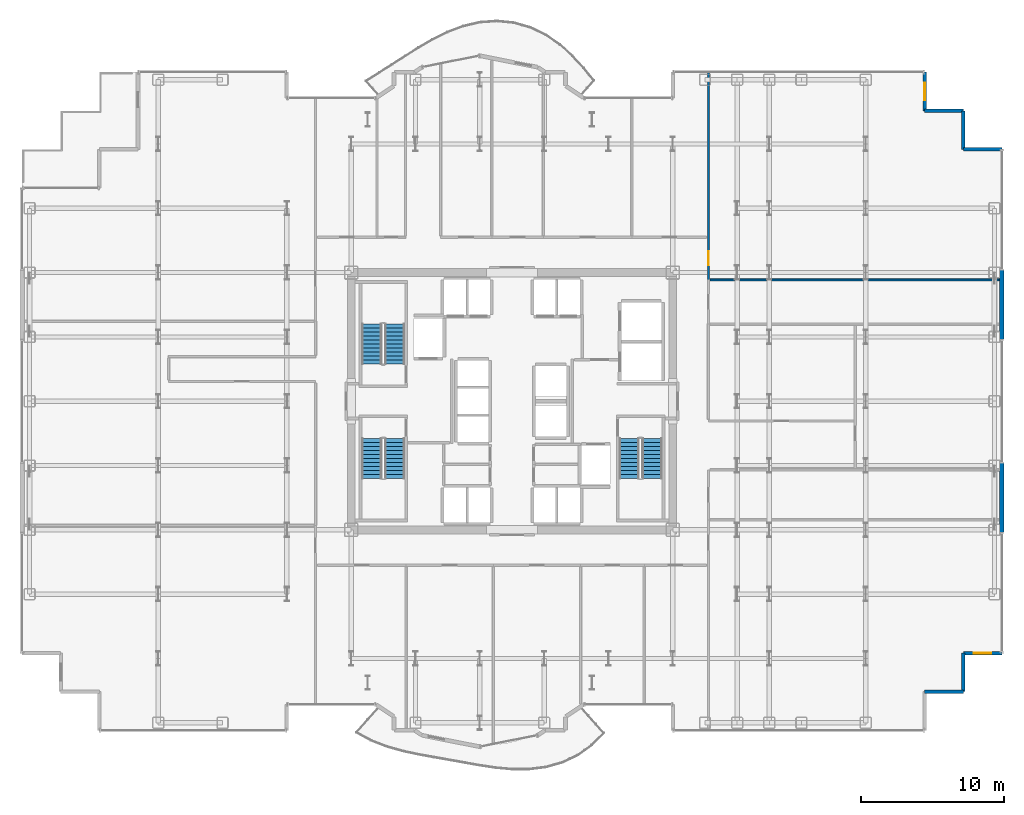
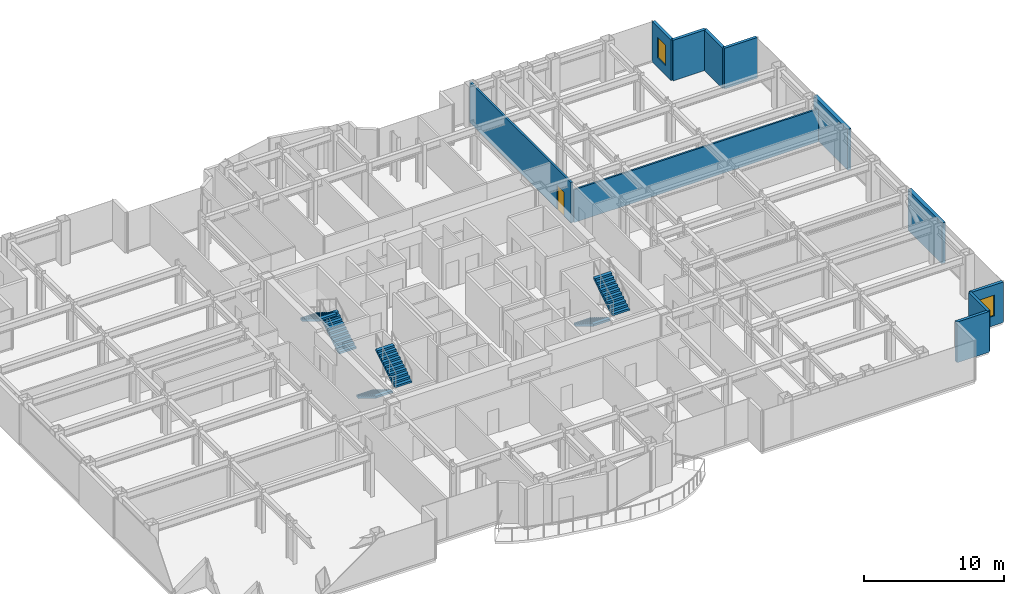
# One storey, part 27 of 29: 11 walls, 6 stair flights, 2 windows, 1 door, 3 openings, 3 elements without a shape of their own.
"""IFC4 building model written with IfcOpenShell, lengths in metres."""

from ifc_helpers import new_model, si_unit, direction, frame, frame_2d, origin, place, context, subcontext, project, spatial, polyline, rectangle, outline, extrude, source, transform, mapped, material, layer, layer_set, type_object, element, fill, aggregate, save


model = new_model("IFC4")

# Units and contexts
model_context = context("Model", 3, precision=1e-05, world=origin(), true_north=direction((0.0, 1.0)))
body_context = subcontext(model_context, "Body", "Model", "MODEL_VIEW")
ifc_project = project(units=[si_unit("LENGTHUNIT", "METRE"), si_unit("AREAUNIT", "SQUARE_METRE"), si_unit("VOLUMEUNIT", "CUBIC_METRE"), si_unit("PLANEANGLEUNIT", "RADIAN"), si_unit("MASSUNIT", "GRAM", prefix="KILO")], contexts=[model_context])

# Site, building, storey
site_placement = place(None, origin())
site = spatial("IfcSite", under=ifc_project, at=site_placement, CompositionType="ELEMENT")
building_placement = place(site_placement, origin())
building = spatial("IfcBuilding", under=site, at=building_placement, Name="Nefas-Gora Pilgrimage Tower", CompositionType="ELEMENT")
storey_placement = place(building_placement, frame((0.0, 0.0, 125.0)))
storey = spatial("IfcBuildingStorey", under=building, at=storey_placement, Name="L30", CompositionType="ELEMENT", Elevation=125.0)

# Walls
ifc_material_1 = material(Name="Precast concrete C45/55", Category="concrete")
ifc_layer_1 = layer(ifc_material_1, 0.239990234375)
ifc_layer_set_1 = layer_set([ifc_layer_1], Name="Precast concrete C45/55")
wall_type_1 = type_object("IfcWallType", Name="EW-SERR-240", PredefinedType="SHEAR", material=ifc_layer_set_1)
shared_shape_1 = source(origin(), body_context, "Body", "SweptSolid", [
    extrude(rectangle(XDim=4.8798828125, YDim=0.300048828125, at=frame_2d((2.43994140625, 0.0))), origin(), (0.0, 0.0, 1.0), 3.550048828125),
])
for number, where, z_axis, x_axis, name in (
    (1, (34.27001953125, -9.18994140625, 0.0), (0.0, 0.0, 1.0), (0.0, 1.0, 0.0), "L30 Braced-Tube Precast Shear Cladding 3"),
    (2, (34.27001953125, 4.31005859375, 0.0), (0.0, 0.0, 1.0), (0.0, 1.0, 0.0), "L30 Braced-Tube Precast Shear Cladding 4"),
):
    element("IfcWall", number, at=place(storey_placement, frame(where, z_axis=z_axis, x_axis=x_axis)), inside=storey, type_object=wall_type_1, Name=name, PredefinedType="SHEAR", context=body_context, shape_type="MappedRepresentation", body=[
        mapped(shared_shape_1, transform((0.0, 0.0, 0.0), x_axis=(1.0, 0.0, 0.0), y_axis=(0.0, 1.0, 0.0), z_axis=(0.0, 0.0, 1.0), scale=1.0)),
    ])
shared_shape_2 = source(origin(), body_context, "Body", "SweptSolid", [
    extrude(rectangle(XDim=2.699951171875, YDim=0.239990234375, at=frame_2d((1.35009765625, 0.0))), origin(), (0.0, 0.0, 1.0), 3.550048828125),
])
for number, where, z_axis, x_axis, name in (
    (3, (28.8701171875, -20.320068359375, 0.0), (0.0, 0.0, 1.0), (1.0, 0.0, 0.0), "L30 Serrated Corner Shear Pier Wall 7"),
    (4, (31.570068359375, -20.320068359375, 0.0), (0.0, 0.0, 1.0), (0.0, 1.0, 0.0), "L30 Serrated Corner Shear Pier Wall 8"),
):
    element("IfcWall", number, at=place(storey_placement, frame(where, z_axis=z_axis, x_axis=x_axis)), inside=storey, type_object=wall_type_1, Name=name, PredefinedType="SHEAR", context=body_context, shape_type="MappedRepresentation", body=[
        mapped(shared_shape_2, transform((0.0, 0.0, 0.0), x_axis=(1.0, 0.0, 0.0), y_axis=(0.0, 1.0, 0.0), z_axis=(0.0, 0.0, 1.0), scale=1.0)),
    ])

# Wall, opening, window
wall_1_placement = place(storey_placement, frame((31.570068359375, -17.6201171875, 0.0), z_axis=(0.0, 0.0, 1.0), x_axis=(1.0, 0.0, 0.0)))
wall_1 = element("IfcWall", 5, at=wall_1_placement, inside=storey, type_object=wall_type_1, Name="L30 Serrated Corner Shear Pier Wall 9", PredefinedType="SHEAR", context=body_context, shape_type="MappedRepresentation", body=[
    mapped(shared_shape_2, transform((0.0, 0.0, 0.0), x_axis=(1.0, 0.0, 0.0), y_axis=(0.0, 1.0, 0.0), z_axis=(0.0, 0.0, 1.0), scale=1.0)),
])
opening_1_placement = place(wall_1_placement, frame((0.75, 0.0, 0.85009765625)))
opening_1 = element("IfcOpeningElement", 6, at=opening_1_placement, cuts=wall_1, Name="Opening W-V1", PredefinedType="OPENING", context=body_context, shape_type="SweptSolid", body=[
    extrude(rectangle(XDim=1.199951171875, YDim=1.800048828125, at=frame_2d((0.60009765625, 0.89990234375))), frame((0.0, 0.1298828125, 0.0), z_axis=(0.0, -1.0, 0.0), x_axis=(1.0, 0.0, 0.0)), (0.0, 0.0, 1.0), 0.260009765625),
])
ifc_material_2 = material(Name="Dark ceramic-fritted operable aluminium-glass window", Category="aluminium")
window_type = type_object("IfcWindowType", Name="WIN-VENT-1200x1800", PartitioningType="SINGLE_PANEL", PredefinedType="WINDOW", material=ifc_material_2)
shared_shape_3 = source(origin(), body_context, "Body", "SweptSolid", [
    extrude(rectangle(XDim=1.199951171875, YDim=1.800048828125, at=frame_2d((0.60009765625, 0.89990234375))), frame((0.0, 0.030029296875, 0.0), z_axis=(0.0, -1.0, 0.0), x_axis=(1.0, 0.0, 0.0)), (0.0, 0.0, 1.0), 0.06005859375),
])
window_1_placement = place(opening_1_placement, origin())
window_1 = element("IfcWindow", 7, at=window_1_placement, inside=storey, type_object=window_type, Name="L30 Operable Parallel-Outswing Window 9", OverallHeight=1.800048828125, OverallWidth=1.199951171875, PartitioningType="SINGLE_PANEL", PredefinedType="WINDOW", context=body_context, shape_type="MappedRepresentation", body=[
    mapped(shared_shape_3, transform((0.0, 0.0, 0.0), x_axis=(1.0, 0.0, 0.0), y_axis=(0.0, 1.0, 0.0), z_axis=(0.0, 0.0, 1.0), scale=1.0)),
])
fill(opening_1, window_1)

# Walls
for number, where, z_axis, x_axis, name in (
    (8, (34.27001953125, 17.6201171875, 0.0), (0.0, 0.0, 1.0), (-1.0, 0.0, 0.0), "L30 Serrated Corner Shear Pier Wall 10"),
    (9, (31.570068359375, 17.6201171875, 0.0), (0.0, 0.0, 1.0), (0.0, 1.0, 0.0), "L30 Serrated Corner Shear Pier Wall 11"),
    (10, (31.570068359375, 20.320068359375, 0.0), (0.0, 0.0, 1.0), (-1.0, 0.0, 0.0), "L30 Serrated Corner Shear Pier Wall 12"),
):
    element("IfcWall", number, at=place(storey_placement, frame(where, z_axis=z_axis, x_axis=x_axis)), inside=storey, type_object=wall_type_1, Name=name, PredefinedType="SHEAR", context=body_context, shape_type="MappedRepresentation", body=[
        mapped(shared_shape_2, transform((0.0, 0.0, 0.0), x_axis=(1.0, 0.0, 0.0), y_axis=(0.0, 1.0, 0.0), z_axis=(0.0, 0.0, 1.0), scale=1.0)),
    ])

# Wall, opening, window
wall_2_placement = place(storey_placement, frame((28.8701171875, 20.320068359375, 0.0), z_axis=(0.0, 0.0, 1.0), x_axis=(0.0, 1.0, 0.0)))
wall_2 = element("IfcWall", 11, at=wall_2_placement, inside=storey, type_object=wall_type_1, Name="L30 Serrated Corner Shear Pier Wall 13", PredefinedType="SHEAR", context=body_context, shape_type="MappedRepresentation", body=[
    mapped(shared_shape_2, transform((0.0, 0.0, 0.0), x_axis=(1.0, 0.0, 0.0), y_axis=(0.0, 1.0, 0.0), z_axis=(0.0, 0.0, 1.0), scale=1.0)),
])
opening_2_placement = place(wall_2_placement, frame((0.75, 0.0, 0.85009765625)))
opening_2 = element("IfcOpeningElement", 12, at=opening_2_placement, cuts=wall_2, Name="Opening W-V1", PredefinedType="OPENING", context=body_context, shape_type="SweptSolid", body=[
    extrude(rectangle(XDim=1.199951171875, YDim=1.800048828125, at=frame_2d((0.60009765625, 0.89990234375))), frame((0.0, 0.1298828125, 0.0), z_axis=(0.0, -1.0, 0.0), x_axis=(1.0, 0.0, 0.0)), (0.0, 0.0, 1.0), 0.260009765625),
])
window_2_placement = place(opening_2_placement, origin())
window_2 = element("IfcWindow", 13, at=window_2_placement, inside=storey, type_object=window_type, Name="L30 Operable Parallel-Outswing Window 13", OverallHeight=1.800048828125, OverallWidth=1.199951171875, PartitioningType="SINGLE_PANEL", PredefinedType="WINDOW", context=body_context, shape_type="MappedRepresentation", body=[
    mapped(shared_shape_3, transform((0.0, 0.0, 0.0), x_axis=(1.0, 0.0, 0.0), y_axis=(0.0, 1.0, 0.0), z_axis=(0.0, 0.0, 1.0), scale=1.0)),
])
fill(opening_2, window_2)

# Wall, opening, door
ifc_material_3 = material(Name="Gypsum acoustic stud partition")
ifc_layer_2 = layer(ifc_material_3, 0.159912109375)
ifc_layer_set_2 = layer_set([ifc_layer_2], Name="Gypsum acoustic stud partition")
wall_type_2 = type_object("IfcWallType", Name="IW-CORR-160", PredefinedType="PARTITIONING", material=ifc_layer_set_2)
shared_shape_4 = source(origin(), body_context, "Body", "SweptSolid", [
    extrude(rectangle(XDim=14.544921875, YDim=0.159912109375, at=frame_2d((7.2724609375, 0.0))), origin(), (0.0, 0.0, 1.0), 3.534912109375),
])
wall_3_placement = place(storey_placement, frame((13.739990234375, 8.4951171875, 0.0), z_axis=(0.0, 0.0, 1.0), x_axis=(0.0, 1.0, 0.0)))
wall_3 = element("IfcWall", 14, at=wall_3_placement, inside=storey, type_object=wall_type_2, Name="L30 Pilgrim Contemplative Lounge Partition Wall 47", PredefinedType="PARTITIONING", context=body_context, shape_type="MappedRepresentation", body=[
    mapped(shared_shape_4, transform((0.0, 0.0, 0.0), x_axis=(1.0, 0.0, 0.0), y_axis=(0.0, 1.0, 0.0), z_axis=(0.0, 0.0, 1.0), scale=1.0)),
])
opening_3_placement = place(wall_3_placement, frame((1.032470703125, 0.0, 0.0)))
opening_3 = element("IfcOpeningElement", 15, at=opening_3_placement, cuts=wall_3, Name="Opening ID-GR1", PredefinedType="OPENING", context=body_context, shape_type="SweptSolid", body=[
    extrude(rectangle(XDim=0.949951171875, YDim=2.10009765625, at=frame_2d((0.47509765625, 1.050048828125))), frame((0.0, 0.08984375, 0.0), z_axis=(0.0, -1.0, 0.0), x_axis=(1.0, 0.0, 0.0)), (0.0, 0.0, 1.0), 0.179931640625),
])
ifc_material_4 = material(Name="Solid core oak fire-rated guest entrance door")
door_type = type_object("IfcDoorType", Name="DR-INT-GUEST-950", OperationType="NOTDEFINED", PredefinedType="DOOR", material=ifc_material_4)
shared_shape_5 = source(origin(), body_context, "Body", "SweptSolid", [
    extrude(rectangle(XDim=0.949951171875, YDim=2.10009765625, at=frame_2d((0.47509765625, 1.050048828125))), frame((0.0, 0.02490234375, 0.0), z_axis=(0.0, -1.0, 0.0), x_axis=(1.0, 0.0, 0.0)), (0.0, 0.0, 1.0), 0.050048828125),
])
door_placement = place(opening_3_placement, origin())
door = element("IfcDoor", 16, at=door_placement, inside=storey, type_object=door_type, Name="L30 Pilgrim Contemplative Lounge Door 19", OperationType="SINGLE_SWING_RIGHT", OverallHeight=2.10009765625, OverallWidth=0.949951171875, PredefinedType="DOOR", context=body_context, shape_type="MappedRepresentation", body=[
    mapped(shared_shape_5, transform((0.0, 0.0, 0.0), x_axis=(1.0, 0.0, 0.0), y_axis=(0.0, 1.0, 0.0), z_axis=(0.0, 0.0, 1.0), scale=1.0)),
])
fill(opening_3, door)

# Wall
ifc_material_5 = material(Name="Gypsum twin-stud partition")
ifc_layer_3 = layer(ifc_material_5, 0.139892578125)
ifc_layer_set_3 = layer_set([ifc_layer_3], Name="Gypsum twin-stud partition")
wall_type_3 = type_object("IfcWallType", Name="IW-UNIT-140", PredefinedType="PARTITIONING", material=ifc_layer_set_3)
shared_shape_6 = source(origin(), body_context, "Body", "SweptSolid", [
    extrude(rectangle(XDim=20.219970703125, YDim=0.139892578125, at=frame_2d((10.10986328125, 0.0))), origin(), (0.0, 0.0, 1.0), 2.875),
])
wall_4_placement = place(storey_placement, frame((13.860107421875, 8.4951171875, 0.0), z_axis=(0.0, 0.0, 1.0), x_axis=(1.0, 0.0, 0.0)))
element("IfcWall", 17, at=wall_4_placement, inside=storey, type_object=wall_type_3, Name="L30 Pilgrim Fellowship Seminar Room Partition Wall 46", PredefinedType="PARTITIONING", context=body_context, shape_type="MappedRepresentation", body=[
    mapped(shared_shape_6, transform((0.0, 0.0, 0.0), x_axis=(1.0, 0.0, 0.0), y_axis=(0.0, 1.0, 0.0), z_axis=(0.0, 0.0, 1.0), scale=1.0)),
])

# Stair, stair flights
ifc_material_6 = material(Name="Concrete C45/55", Category="concrete")
stair_type = type_object("IfcStairType", Name="STR-1400-R1727", PredefinedType="HALF_TURN_STAIR", material=ifc_material_6)
stair_1_placement = place(storey_placement, origin())
stair_1 = element("IfcStair", 18, at=stair_1_placement, inside=storey, type_object=stair_type, Name="L30 Pressurised Tower Exit Stair ST-01", PredefinedType="HALF_TURN_STAIR")
stair_flight_type = type_object("IfcStairFlightType", Name="STF-1400-R1727", PredefinedType="STRAIGHT", material=ifc_material_6)
shared_shape_7 = source(origin(), body_context, "Body", "SweptSolid", [
    extrude(outline(polyline([(0.0, 0.0), (0.0, 0.172607421875), (0.280029296875, 0.172607421875), (0.280029296875, 0.345458984375), (0.56005859375, 0.345458984375), (0.56005859375, 0.51806640625), (0.840087890625, 0.51806640625), (0.840087890625, 0.69091796875), (1.1201171875, 0.69091796875), (1.1201171875, 0.863525390625), (1.39990234375, 0.863525390625), (1.39990234375, 1.036376953125), (1.679931640625, 1.036376953125), (1.679931640625, 1.208984375), (1.9599609375, 1.208984375), (1.9599609375, 1.3818359375), (2.239990234375, 1.3818359375), (2.239990234375, 1.554443359375), (2.52001953125, 1.554443359375), (2.52001953125, 1.727294921875), (2.800048828125, 1.727294921875), (2.800048828125, 1.89990234375), (2.800048828125, 1.551025390625), (0.285400390625, 0.0), (0.0, 0.0)])), frame((0.0, 0.699951171875, 0.0), z_axis=(0.0, -1.0, 0.0), x_axis=(1.0, 0.0, 0.0)), (0.0, 0.0, 1.0), 1.39990234375),
])
stair_flight_1_placement = place(storey_placement, frame((-8.199951171875, 2.60009765625, 0.0), z_axis=(0.0, 0.0, 1.0), x_axis=(0.0, 1.0, 0.0)))
stair_flight_1 = element("IfcStairFlight", 19, at=stair_flight_1_placement, type_object=stair_flight_type, Name="ST-01 flight 1", NumberOfRisers=11, NumberOfTreads=10, PredefinedType="STRAIGHT", RiserHeight=0.172727273, TreadLength=0.28, context=body_context, shape_type="MappedRepresentation", body=[
    mapped(shared_shape_7, transform((0.0, 0.0, 0.0), x_axis=(1.0, 0.0, 0.0), y_axis=(0.0, 1.0, 0.0), z_axis=(0.0, 0.0, 1.0), scale=1.0)),
])
stair_flight_2_placement = place(storey_placement, frame((-9.800048828125, 5.39990234375, 1.89990234375), z_axis=(0.0, 0.0, 1.0), x_axis=(0.0, -1.0, 0.0)))
stair_flight_2 = element("IfcStairFlight", 20, at=stair_flight_2_placement, type_object=stair_flight_type, Name="ST-01 flight 2", NumberOfRisers=11, NumberOfTreads=10, PredefinedType="STRAIGHT", RiserHeight=0.172727273, TreadLength=0.28, context=body_context, shape_type="MappedRepresentation", body=[
    mapped(shared_shape_7, transform((0.0, 0.0, 0.0), x_axis=(1.0, 0.0, 0.0), y_axis=(0.0, 1.0, 0.0), z_axis=(0.0, 0.0, 1.0), scale=1.0)),
])
aggregate(stair_1, [stair_flight_1, stair_flight_2])

stair_2_placement = place(storey_placement, origin())
stair_2 = element("IfcStair", 21, at=stair_2_placement, inside=storey, type_object=stair_type, Name="L30 Pressurised Tower Exit Stair ST-02", PredefinedType="HALF_TURN_STAIR")
stair_flight_3_placement = place(storey_placement, frame((8.199951171875, -2.60009765625, 0.0), z_axis=(0.0, 0.0, 1.0), x_axis=(0.0, -1.0, 0.0)))
stair_flight_3 = element("IfcStairFlight", 22, at=stair_flight_3_placement, type_object=stair_flight_type, Name="ST-02 flight 1", NumberOfRisers=11, NumberOfTreads=10, PredefinedType="STRAIGHT", RiserHeight=0.172727273, TreadLength=0.28, context=body_context, shape_type="MappedRepresentation", body=[
    mapped(shared_shape_7, transform((0.0, 0.0, 0.0), x_axis=(1.0, 0.0, 0.0), y_axis=(0.0, 1.0, 0.0), z_axis=(0.0, 0.0, 1.0), scale=1.0)),
])
stair_flight_4_placement = place(storey_placement, frame((9.800048828125, -5.39990234375, 1.89990234375), z_axis=(0.0, 0.0, 1.0), x_axis=(0.0, 1.0, 0.0)))
stair_flight_4 = element("IfcStairFlight", 23, at=stair_flight_4_placement, type_object=stair_flight_type, Name="ST-02 flight 2", NumberOfRisers=11, NumberOfTreads=10, PredefinedType="STRAIGHT", RiserHeight=0.172727273, TreadLength=0.28, context=body_context, shape_type="MappedRepresentation", body=[
    mapped(shared_shape_7, transform((0.0, 0.0, 0.0), x_axis=(1.0, 0.0, 0.0), y_axis=(0.0, 1.0, 0.0), z_axis=(0.0, 0.0, 1.0), scale=1.0)),
])
aggregate(stair_2, [stair_flight_3, stair_flight_4])

stair_3_placement = place(storey_placement, origin())
stair_3 = element("IfcStair", 24, at=stair_3_placement, inside=storey, type_object=stair_type, Name="L30 Pressurised Tower Exit Stair ST-03", PredefinedType="HALF_TURN_STAIR")
stair_flight_5_placement = place(storey_placement, frame((-9.800048828125, -2.60009765625, 0.0), z_axis=(0.0, 0.0, 1.0), x_axis=(0.0, -1.0, 0.0)))
stair_flight_5 = element("IfcStairFlight", 25, at=stair_flight_5_placement, type_object=stair_flight_type, Name="ST-03 flight 1", NumberOfRisers=11, NumberOfTreads=10, PredefinedType="STRAIGHT", RiserHeight=0.172727273, TreadLength=0.28, context=body_context, shape_type="MappedRepresentation", body=[
    mapped(shared_shape_7, transform((0.0, 0.0, 0.0), x_axis=(1.0, 0.0, 0.0), y_axis=(0.0, 1.0, 0.0), z_axis=(0.0, 0.0, 1.0), scale=1.0)),
])
stair_flight_6_placement = place(storey_placement, frame((-8.199951171875, -5.39990234375, 1.89990234375), z_axis=(0.0, 0.0, 1.0), x_axis=(0.0, 1.0, 0.0)))
stair_flight_6 = element("IfcStairFlight", 26, at=stair_flight_6_placement, type_object=stair_flight_type, Name="ST-03 flight 2", NumberOfRisers=11, NumberOfTreads=10, PredefinedType="STRAIGHT", RiserHeight=0.172727273, TreadLength=0.28, context=body_context, shape_type="MappedRepresentation", body=[
    mapped(shared_shape_7, transform((0.0, 0.0, 0.0), x_axis=(1.0, 0.0, 0.0), y_axis=(0.0, 1.0, 0.0), z_axis=(0.0, 0.0, 1.0), scale=1.0)),
])
aggregate(stair_3, [stair_flight_5, stair_flight_6])

save(model, "model.ifc")
